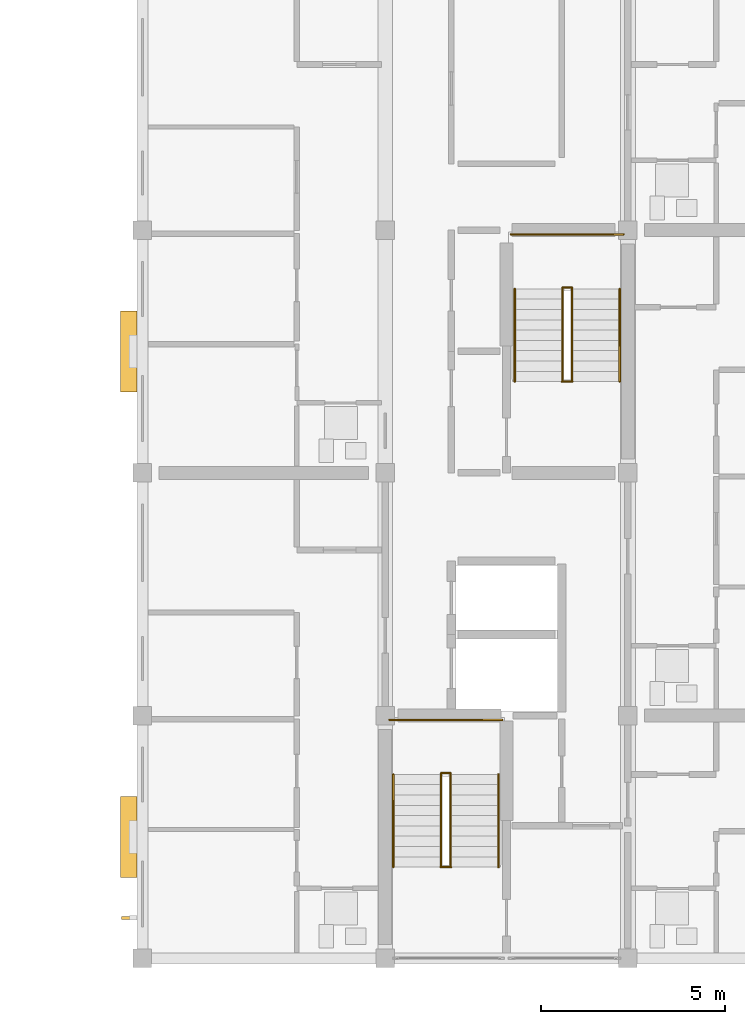
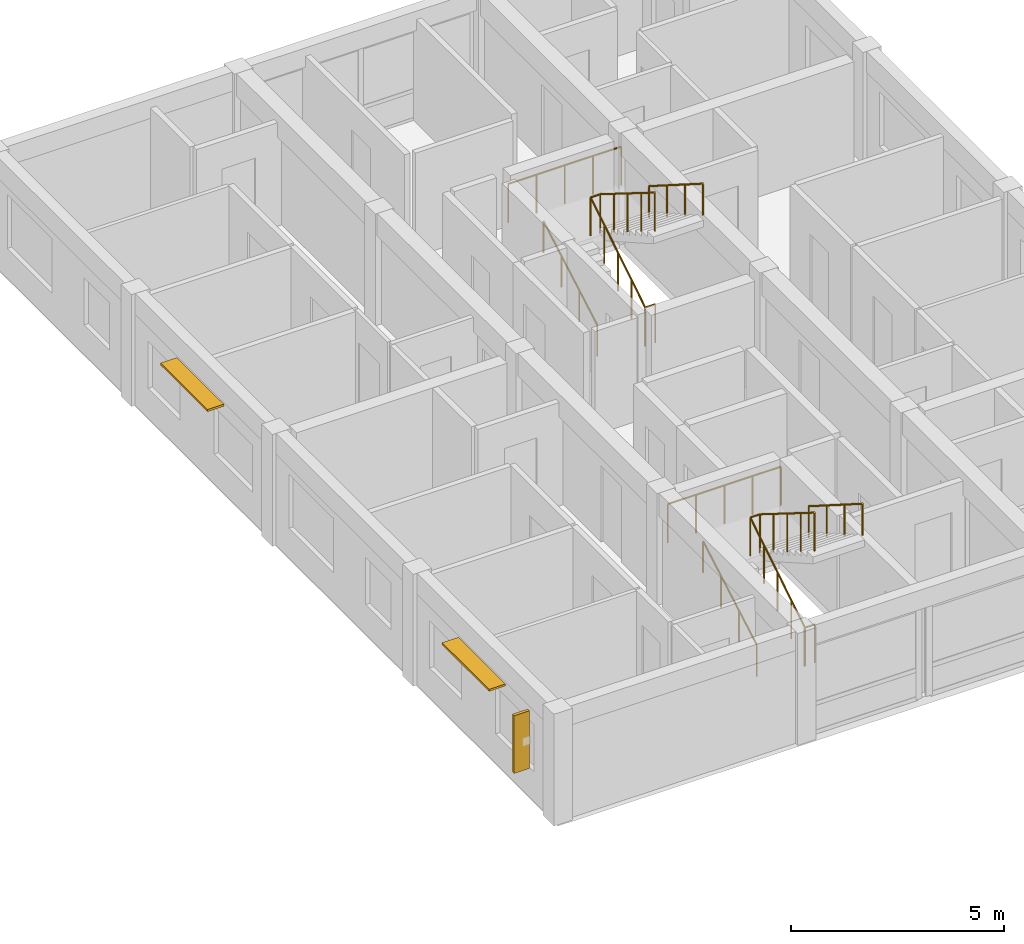
# One storey, part 48 of 52: 10 railings, 3 shading devices.
"""IFC4 building model written with IfcOpenShell, lengths in metres."""

from ifc_helpers import new_model, si_unit, direction, frame, origin, origin_2d, place, context, subcontext, project, spatial, rectangle, circle, extrude, material, layer, layer_set, type_object, element, save


model = new_model("IFC4")

# Units and contexts
model_context = context("Model", 3, precision=1e-05, world=origin(), true_north=direction((0.0, 1.0)))
body_context = subcontext(model_context, "Body", "Model", "MODEL_VIEW")
ifc_project = project(units=[si_unit("LENGTHUNIT", "METRE"), si_unit("AREAUNIT", "SQUARE_METRE"), si_unit("VOLUMEUNIT", "CUBIC_METRE"), si_unit("PLANEANGLEUNIT", "RADIAN"), si_unit("MASSUNIT", "GRAM", prefix="KILO")], contexts=[model_context])

# Site, building, storey
site_placement = place(None, origin())
site = spatial("IfcSite", under=ifc_project, at=site_placement, CompositionType="ELEMENT")
building_placement = place(site_placement, origin())
building = spatial("IfcBuilding", under=site, at=building_placement, Name="Kernevlak Ridge Housing Community", CompositionType="ELEMENT")
storey_placement = place(building_placement, frame((0.0, 0.0, 11.60009765625)))
storey = spatial("IfcBuildingStorey", under=building, at=storey_placement, Name="L03", CompositionType="ELEMENT", Elevation=11.60009765625)

# Railings
ifc_material_1 = material(Name="Steel S355", Category="steel")
railing_type_1 = type_object("IfcRailingType", Name="GR-02", PredefinedType="GUARDRAIL", material=ifc_material_1)
railing_1_placement = place(storey_placement, frame((134.110107421875, 18.080078125, 0.0)))
element("IfcRailing", 1, at=railing_1_placement, inside=storey, type_object=railing_type_1, Name="Stair ST-C1 L03 well slot guard", PredefinedType="GUARDRAIL", context=body_context, shape_type="SweptSolid", body=[
    extrude(circle(Radius=0.02392578125, at=origin_2d()), frame((0.0, 0.0, 1.09619140625), z_axis=(1.0, 0.0, 0.0), x_axis=(0.0, 1.0, 0.0)), (0.0, 0.0, 1.0), 0.27978515625),
    extrude(circle(Radius=0.02099609375, at=origin_2d()), origin(), (0.0, 0.0, 1.0), 1.072021484375),
    extrude(circle(Radius=0.02099609375, at=origin_2d()), frame((0.27978515625, 0.0, 0.0)), (0.0, 0.0, 1.0), 1.072021484375),
])
railing_2_placement = place(storey_placement, frame((134.1201171875, 18.080078125, 0.0)))
element("IfcRailing", 2, at=railing_2_placement, inside=storey, type_object=railing_type_1, Name="Stair ST-C1 L03 inner well guardrail", PredefinedType="GUARDRAIL", context=body_context, shape_type="SweptSolid", body=[
    extrude(circle(Radius=0.02392578125, at=origin_2d()), frame((0.0, 0.0, 1.09619140625), z_axis=(0.0, 0.848002847666, 0.529991670077), x_axis=(-1.0, 0.0, 0.0)), (0.0, 0.0, 1.0), 3.0185546875),
    extrude(circle(Radius=0.02392578125, at=origin_2d()), frame((0.0, 2.559814453125, 2.69580078125), z_axis=(1.0, 0.0, 0.0), x_axis=(0.0, 1.0, 0.0)), (0.0, 0.0, 1.0), 0.259765625),
    extrude(circle(Radius=0.02392578125, at=origin_2d()), frame((0.259765625, 2.559814453125, 2.69580078125), z_axis=(0.0, -0.847966497998, 0.530049826217), x_axis=(1.0, 0.0, 0.0)), (0.0, 0.0, 1.0), 3.018798828125),
    extrude(circle(Radius=0.02099609375, at=origin_2d()), origin(), (0.0, 0.0, 1.0), 1.072021484375),
    extrude(circle(Radius=0.02099609375, at=origin_2d()), frame((0.0, 0.639892578125, 0.39990234375)), (0.0, 0.0, 1.0), 1.072021484375),
    extrude(circle(Radius=0.02099609375, at=origin_2d()), frame((0.0, 1.27978515625, 0.7998046875)), (0.0, 0.0, 1.0), 1.072021484375),
    extrude(circle(Radius=0.02099609375, at=origin_2d()), frame((0.0, 1.919921875, 1.199951171875)), (0.0, 0.0, 1.0), 1.072021484375),
    extrude(circle(Radius=0.02099609375, at=origin_2d()), frame((0.0, 2.559814453125, 1.599853515625)), (0.0, 0.0, 1.0), 1.072021484375),
    extrude(circle(Radius=0.02099609375, at=origin_2d()), frame((0.259765625, 2.559814453125, 1.599853515625)), (0.0, 0.0, 1.0), 1.072021484375),
    extrude(circle(Radius=0.02099609375, at=origin_2d()), frame((0.259765625, 1.919921875, 2.0)), (0.0, 0.0, 1.0), 1.072021484375),
    extrude(circle(Radius=0.02099609375, at=origin_2d()), frame((0.259765625, 1.27978515625, 2.39990234375)), (0.0, 0.0, 1.0), 1.072021484375),
    extrude(circle(Radius=0.02099609375, at=origin_2d()), frame((0.259765625, 0.639892578125, 2.7998046875)), (0.0, 0.0, 1.0), 1.072021484375),
    extrude(circle(Radius=0.02099609375, at=origin_2d()), frame((0.259765625, 0.0, 3.199951171875)), (0.0, 0.0, 1.0), 1.072021484375),
])
railing_3_placement = place(storey_placement, frame((132.719970703125, 22.080078125, 1.599853515625)))
element("IfcRailing", 3, at=railing_3_placement, inside=storey, type_object=railing_type_1, Name="Stair ST-C1 L03 half-landing guard", PredefinedType="GUARDRAIL", context=body_context, shape_type="SweptSolid", body=[
    extrude(circle(Radius=0.02392578125, at=origin_2d()), frame((0.0, 0.0, 1.09619140625), z_axis=(1.0, 0.0, 0.0), x_axis=(0.0, 1.0, 0.0)), (0.0, 0.0, 1.0), 3.06005859375),
    extrude(circle(Radius=0.02099609375, at=origin_2d()), origin(), (0.0, 0.0, 1.0), 1.072021484375),
    extrude(circle(Radius=0.02099609375, at=origin_2d()), frame((0.76513671875, 0.0, 0.0)), (0.0, 0.0, 1.0), 1.072021484375),
    extrude(circle(Radius=0.02099609375, at=origin_2d()), frame((1.530029296875, 0.0, 0.0)), (0.0, 0.0, 1.0), 1.072021484375),
    extrude(circle(Radius=0.02099609375, at=origin_2d()), frame((2.294921875, 0.0, 0.0)), (0.0, 0.0, 1.0), 1.072021484375),
    extrude(circle(Radius=0.02099609375, at=origin_2d()), frame((3.06005859375, 0.0, 0.0)), (0.0, 0.0, 1.0), 1.072021484375),
])
railing_4_placement = place(storey_placement, frame((137.409912109375, 31.280029296875, 0.0)))
element("IfcRailing", 4, at=railing_4_placement, inside=storey, type_object=railing_type_1, Name="Stair ST-C2 L03 well slot guard", PredefinedType="GUARDRAIL", context=body_context, shape_type="SweptSolid", body=[
    extrude(circle(Radius=0.02392578125, at=origin_2d()), frame((0.0, 0.0, 1.09619140625), z_axis=(1.0, 0.0, 0.0), x_axis=(0.0, 1.0, 0.0)), (0.0, 0.0, 1.0), 0.280029296875),
    extrude(circle(Radius=0.02099609375, at=origin_2d()), origin(), (0.0, 0.0, 1.0), 1.072021484375),
    extrude(circle(Radius=0.02099609375, at=origin_2d()), frame((0.280029296875, 0.0, 0.0)), (0.0, 0.0, 1.0), 1.072021484375),
])
railing_5_placement = place(storey_placement, frame((137.419921875, 31.280029296875, 0.0)))
element("IfcRailing", 5, at=railing_5_placement, inside=storey, type_object=railing_type_1, Name="Stair ST-C2 L03 inner well guardrail", PredefinedType="GUARDRAIL", context=body_context, shape_type="SweptSolid", body=[
    extrude(circle(Radius=0.02392578125, at=origin_2d()), frame((0.0, 0.0, 1.09619140625), z_axis=(0.0, 0.848025563165, 0.529955322851), x_axis=(-1.0, 0.0, 0.0)), (0.0, 0.0, 1.0), 3.018798828125),
    extrude(circle(Radius=0.02392578125, at=origin_2d()), frame((0.0, 2.56005859375, 2.69580078125), z_axis=(1.0, 0.0, 0.0), x_axis=(0.0, 1.0, 0.0)), (0.0, 0.0, 1.0), 0.260009765625),
    extrude(circle(Radius=0.02392578125, at=origin_2d()), frame((0.260009765625, 2.56005859375, 2.69580078125), z_axis=(0.0, -0.847989217509, 0.530013478119), x_axis=(1.0, 0.0, 0.0)), (0.0, 0.0, 1.0), 3.01904296875),
    extrude(circle(Radius=0.02099609375, at=origin_2d()), origin(), (0.0, 0.0, 1.0), 1.072021484375),
    extrude(circle(Radius=0.02099609375, at=origin_2d()), frame((0.0, 0.64013671875, 0.39990234375)), (0.0, 0.0, 1.0), 1.072021484375),
    extrude(circle(Radius=0.02099609375, at=origin_2d()), frame((0.0, 1.280029296875, 0.7998046875)), (0.0, 0.0, 1.0), 1.072021484375),
    extrude(circle(Radius=0.02099609375, at=origin_2d()), frame((0.0, 1.919921875, 1.199951171875)), (0.0, 0.0, 1.0), 1.072021484375),
    extrude(circle(Radius=0.02099609375, at=origin_2d()), frame((0.0, 2.56005859375, 1.599853515625)), (0.0, 0.0, 1.0), 1.072021484375),
    extrude(circle(Radius=0.02099609375, at=origin_2d()), frame((0.260009765625, 2.56005859375, 1.599853515625)), (0.0, 0.0, 1.0), 1.072021484375),
    extrude(circle(Radius=0.02099609375, at=origin_2d()), frame((0.260009765625, 1.919921875, 2.0)), (0.0, 0.0, 1.0), 1.072021484375),
    extrude(circle(Radius=0.02099609375, at=origin_2d()), frame((0.260009765625, 1.280029296875, 2.39990234375)), (0.0, 0.0, 1.0), 1.072021484375),
    extrude(circle(Radius=0.02099609375, at=origin_2d()), frame((0.260009765625, 0.64013671875, 2.7998046875)), (0.0, 0.0, 1.0), 1.072021484375),
    extrude(circle(Radius=0.02099609375, at=origin_2d()), frame((0.260009765625, 0.0, 3.199951171875)), (0.0, 0.0, 1.0), 1.072021484375),
])
railing_6_placement = place(storey_placement, frame((136.02001953125, 35.280029296875, 1.599853515625)))
element("IfcRailing", 6, at=railing_6_placement, inside=storey, type_object=railing_type_1, Name="Stair ST-C2 L03 half-landing guard", PredefinedType="GUARDRAIL", context=body_context, shape_type="SweptSolid", body=[
    extrude(circle(Radius=0.02392578125, at=origin_2d()), frame((0.0, 0.0, 1.09619140625), z_axis=(1.0, 0.0, 0.0), x_axis=(0.0, 1.0, 0.0)), (0.0, 0.0, 1.0), 3.06005859375),
    extrude(circle(Radius=0.02099609375, at=origin_2d()), origin(), (0.0, 0.0, 1.0), 1.072021484375),
    extrude(circle(Radius=0.02099609375, at=origin_2d()), frame((0.76513671875, 0.0, 0.0)), (0.0, 0.0, 1.0), 1.072021484375),
    extrude(circle(Radius=0.02099609375, at=origin_2d()), frame((1.530029296875, 0.0, 0.0)), (0.0, 0.0, 1.0), 1.072021484375),
    extrude(circle(Radius=0.02099609375, at=origin_2d()), frame((2.294921875, 0.0, 0.0)), (0.0, 0.0, 1.0), 1.072021484375),
    extrude(circle(Radius=0.02099609375, at=origin_2d()), frame((3.06005859375, 0.0, 0.0)), (0.0, 0.0, 1.0), 1.072021484375),
])
ifc_material_2 = material(Name="Stainless steel EN 1.4401", Category="steel")
railing_type_2 = type_object("IfcRailingType", Name="HR-01", PredefinedType="HANDRAIL", material=ifc_material_2)
railing_7_placement = place(storey_placement, frame((132.820068359375, 18.080078125, 0.159912109375)))
element("IfcRailing", 7, at=railing_7_placement, inside=storey, type_object=railing_type_2, Name="Stair ST-C1 L03 flight 1 handrail", PredefinedType="HANDRAIL", context=body_context, shape_type="SweptSolid", body=[
    extrude(circle(Radius=0.02392578125, at=origin_2d()), frame((0.0, 0.0, 0.89599609375), z_axis=(0.0, 0.868253494771, 0.496120820787), x_axis=(-1.0, 0.0, 0.0)), (0.0, 0.0, 1.0), 2.90234375),
    extrude(circle(Radius=0.02099609375, at=origin_2d()), origin(), (0.0, 0.0, 1.0), 0.871826171875),
    extrude(circle(Radius=0.02099609375, at=origin_2d()), frame((0.0, 0.840087890625, 0.47998046875)), (0.0, 0.0, 1.0), 0.871826171875),
    extrude(circle(Radius=0.02099609375, at=origin_2d()), frame((0.0, 1.679931640625, 0.9599609375)), (0.0, 0.0, 1.0), 0.871826171875),
    extrude(circle(Radius=0.02099609375, at=origin_2d()), frame((0.0, 2.52001953125, 1.43994140625)), (0.0, 0.0, 1.0), 0.871826171875),
])
railing_8_placement = place(storey_placement, frame((135.679931640625, 20.60009765625, 1.599853515625)))
element("IfcRailing", 8, at=railing_8_placement, inside=storey, type_object=railing_type_2, Name="Stair ST-C1 L03 flight 2 handrail", PredefinedType="HANDRAIL", context=body_context, shape_type="SweptSolid", body=[
    extrude(circle(Radius=0.02392578125, at=origin_2d()), frame((0.0, 0.0, 0.89599609375), z_axis=(0.0, -0.844199891302, 0.536028491338), x_axis=(1.0, 0.0, 0.0)), (0.0, 0.0, 1.0), 2.985107421875),
    extrude(circle(Radius=0.02099609375, at=origin_2d()), origin(), (0.0, 0.0, 1.0), 0.871826171875),
    extrude(circle(Radius=0.02099609375, at=origin_2d()), frame((0.0, -0.840087890625, 0.533447265625)), (0.0, 0.0, 1.0), 0.871826171875),
    extrude(circle(Radius=0.02099609375, at=origin_2d()), frame((0.0, -1.679931640625, 1.066650390625)), (0.0, 0.0, 1.0), 0.871826171875),
    extrude(circle(Radius=0.02099609375, at=origin_2d()), frame((0.0, -2.52001953125, 1.60009765625)), (0.0, 0.0, 1.0), 0.871826171875),
])
railing_9_placement = place(storey_placement, frame((136.1201171875, 31.280029296875, 0.159912109375)))
element("IfcRailing", 9, at=railing_9_placement, inside=storey, type_object=railing_type_2, Name="Stair ST-C2 L03 flight 1 handrail", PredefinedType="HANDRAIL", context=body_context, shape_type="SweptSolid", body=[
    extrude(circle(Radius=0.02392578125, at=origin_2d()), frame((0.0, 0.0, 0.89599609375), z_axis=(0.0, 0.868253494771, 0.496120820787), x_axis=(-1.0, 0.0, 0.0)), (0.0, 0.0, 1.0), 2.90234375),
    extrude(circle(Radius=0.02099609375, at=origin_2d()), origin(), (0.0, 0.0, 1.0), 0.871826171875),
    extrude(circle(Radius=0.02099609375, at=origin_2d()), frame((0.0, 0.840087890625, 0.47998046875)), (0.0, 0.0, 1.0), 0.871826171875),
    extrude(circle(Radius=0.02099609375, at=origin_2d()), frame((0.0, 1.679931640625, 0.9599609375)), (0.0, 0.0, 1.0), 0.871826171875),
    extrude(circle(Radius=0.02099609375, at=origin_2d()), frame((0.0, 2.52001953125, 1.43994140625)), (0.0, 0.0, 1.0), 0.871826171875),
])
railing_10_placement = place(storey_placement, frame((138.97998046875, 33.800048828125, 1.599853515625)))
element("IfcRailing", 10, at=railing_10_placement, inside=storey, type_object=railing_type_2, Name="Stair ST-C2 L03 flight 2 handrail", PredefinedType="HANDRAIL", context=body_context, shape_type="SweptSolid", body=[
    extrude(circle(Radius=0.02392578125, at=origin_2d()), frame((0.0, 0.0, 0.89599609375), z_axis=(0.0, -0.844199891302, 0.536028491338), x_axis=(1.0, 0.0, 0.0)), (0.0, 0.0, 1.0), 2.985107421875),
    extrude(circle(Radius=0.02099609375, at=origin_2d()), origin(), (0.0, 0.0, 1.0), 0.871826171875),
    extrude(circle(Radius=0.02099609375, at=origin_2d()), frame((0.0, -0.840087890625, 0.533447265625)), (0.0, 0.0, 1.0), 0.871826171875),
    extrude(circle(Radius=0.02099609375, at=origin_2d()), frame((0.0, -1.679931640625, 1.066650390625)), (0.0, 0.0, 1.0), 0.871826171875),
    extrude(circle(Radius=0.02099609375, at=origin_2d()), frame((0.0, -2.52001953125, 1.60009765625)), (0.0, 0.0, 1.0), 0.871826171875),
])

# Shading devices
ifc_material_3 = material(Name="Aluminium EN AW-6060 anodised", Category="aluminium")
ifc_layer = layer(ifc_material_3, 0.06005859375, Name="Aluminium EN AW-6060 anodised")
ifc_layer_set = layer_set([ifc_layer], Name="Aluminium EN AW-6060 anodised")
shading_device_type_1 = type_object("IfcShadingDeviceType", Name="LV-01", PredefinedType="JALOUSIE", material=ifc_layer_set)
for number, where, z_axis, x_axis, name in (
    (11, (125.6298828125, 18.89990234375, 2.489990234375), (0.0, 0.0, 1.0), (0.0, 1.0, 0.0), "Horizontal solar louvre 29"),
    (12, (125.6298828125, 32.10009765625, 2.489990234375), (0.0, 0.0, 1.0), (0.0, 1.0, 0.0), "Horizontal solar louvre 30"),
):
    element("IfcShadingDevice", number, at=place(storey_placement, frame(where, z_axis=z_axis, x_axis=x_axis)), inside=storey, type_object=shading_device_type_1, Name=name, PredefinedType="JALOUSIE", context=body_context, shape_type="SweptSolid", body=[
        extrude(rectangle(XDim=2.199951171875, YDim=0.43994140625, at=origin_2d()), origin(), (0.0, 0.0, 1.0), 0.06005859375),
    ])
ifc_material_4 = material(Name="Aluminium EN AW-6060 enamelled", Category="aluminium")
shading_device_type_2 = type_object("IfcShadingDeviceType", Name="LV-02", PredefinedType="USERDEFINED", material=ifc_material_4)
shading_device_placement = place(storey_placement, frame((125.639892578125, 16.699951171875, 0.824951171875), z_axis=(0.0, 0.0, 1.0), x_axis=(0.0, 1.0, 0.0)))
element("IfcShadingDevice", 13, at=shading_device_placement, inside=storey, type_object=shading_device_type_2, Name="De Stijl yellow vertical solar fin 29", ObjectType="LOUVRE", PredefinedType="USERDEFINED", context=body_context, shape_type="SweptSolid", body=[
    extrude(rectangle(XDim=0.080078125, YDim=0.419921875, at=origin_2d()), origin(), (0.0, 0.0, 1.0), 1.64990234375),
])

save(model, "model.ifc")
